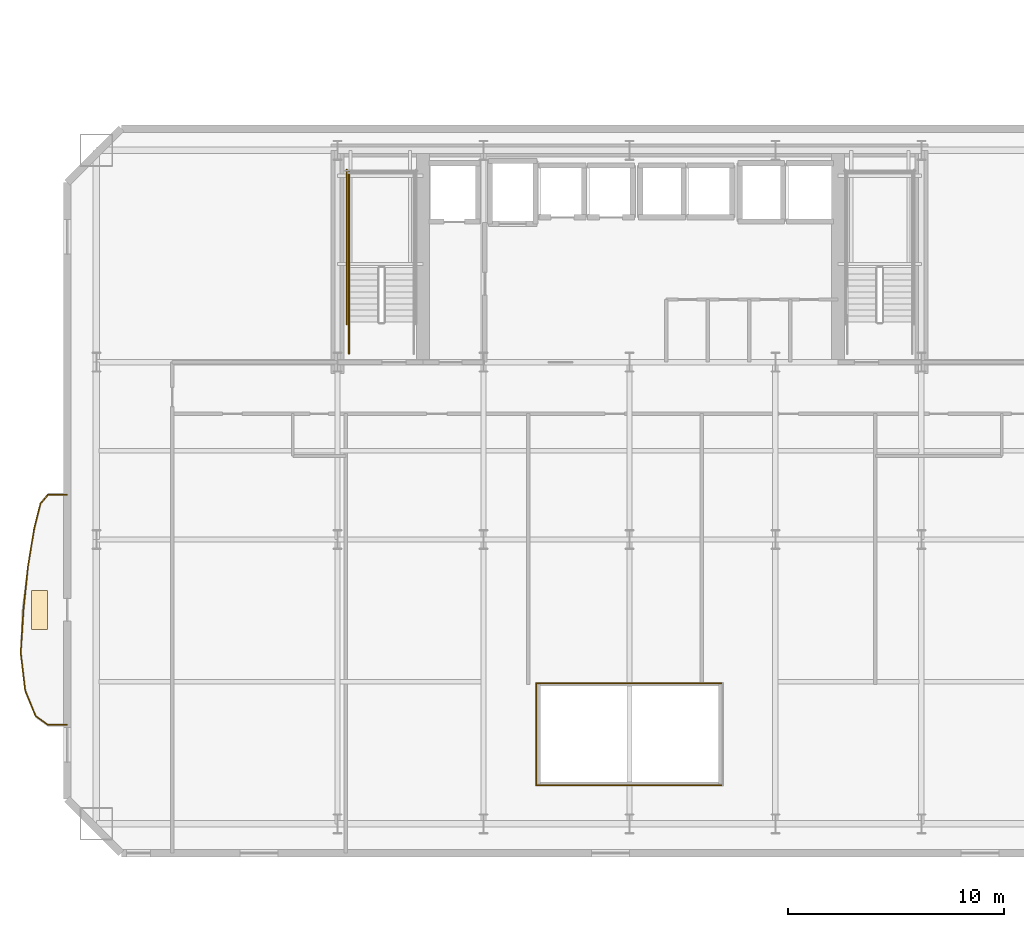
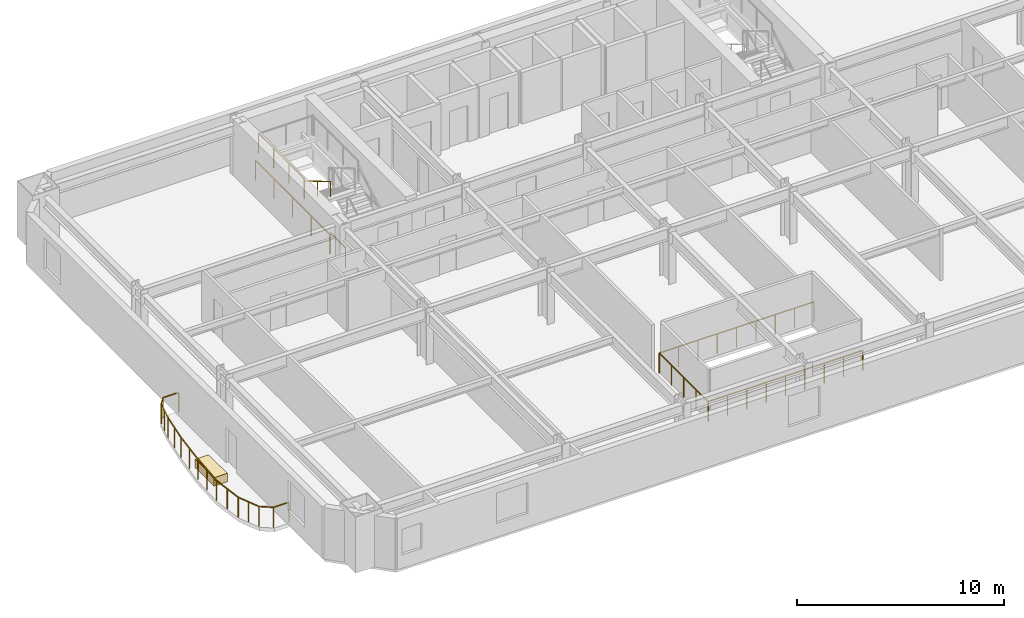
# One storey, part 11 of 15: 17 railings, 1 covering.
"""IFC4 building model written with IfcOpenShell, lengths in metres."""

from ifc_helpers import new_model, si_unit, direction, frame, origin, origin_2d, place, context, subcontext, project, spatial, rectangle, extrude, material, layer, layer_set, type_object, element, save


model = new_model("IFC4")

# Units and contexts
model_context = context("Model", 3, precision=1e-05, world=origin(), true_north=direction((0.0, 1.0)))
body_context = subcontext(model_context, "Body", "Model", "MODEL_VIEW")
ifc_project = project(units=[si_unit("LENGTHUNIT", "METRE"), si_unit("AREAUNIT", "SQUARE_METRE"), si_unit("VOLUMEUNIT", "CUBIC_METRE"), si_unit("PLANEANGLEUNIT", "RADIAN"), si_unit("MASSUNIT", "GRAM", prefix="KILO")], contexts=[model_context])

# Site, building, storey
site_placement = place(None, origin())
site = spatial("IfcSite", under=ifc_project, at=site_placement, CompositionType="ELEMENT")
building_placement = place(site_placement, origin())
building = spatial("IfcBuilding", under=site, at=building_placement, Name="Haevon Station Towers", CompositionType="ELEMENT")
storey_placement = place(building_placement, frame((0.0, 0.0, 63.60009765625)))
storey = spatial("IfcBuildingStorey", under=building, at=storey_placement, Name="L16", CompositionType="ELEMENT", Elevation=63.60009765625)

# Railings
ifc_material_1 = material(Name="Steel S355", Category="steel")
railing_type_1 = type_object("IfcRailingType", Name="BAL-ATR1200", PredefinedType="BALUSTRADE", material=ifc_material_1)
railing_1_placement = place(storey_placement, frame((33.19482421875, 18.642333984375, 0.0)))
element("IfcRailing", 1, at=railing_1_placement, inside=storey, type_object=railing_type_1, Name="L16 Atrium Void Balustrade 1", PredefinedType="BALUSTRADE", context=body_context, shape_type="SweptSolid", body=[
    extrude(rectangle(XDim=0.048095703125, YDim=0.048095703125, at=origin_2d()), frame((0.0, 0.0, 1.17578125), z_axis=(1.0, 0.0, 0.0), x_axis=(0.0, 1.0, 0.0)), (0.0, 0.0, 1.0), 8.6103515625),
    extrude(rectangle(XDim=0.0419921875, YDim=0.0419921875, at=origin_2d()), origin(), (0.0, 0.0, 1.0), 1.15185546875),
    extrude(rectangle(XDim=0.0419921875, YDim=0.0419921875, at=origin_2d()), frame((1.076171875, 0.0, 0.0)), (0.0, 0.0, 1.0), 1.15185546875),
    extrude(rectangle(XDim=0.0419921875, YDim=0.0419921875, at=origin_2d()), frame((2.152587890625, 0.0, 0.0)), (0.0, 0.0, 1.0), 1.15185546875),
    extrude(rectangle(XDim=0.0419921875, YDim=0.0419921875, at=origin_2d()), frame((3.22900390625, 0.0, 0.0)), (0.0, 0.0, 1.0), 1.15185546875),
    extrude(rectangle(XDim=0.0419921875, YDim=0.0419921875, at=origin_2d()), frame((4.30517578125, 0.0, 0.0)), (0.0, 0.0, 1.0), 1.15185546875),
    extrude(rectangle(XDim=0.0419921875, YDim=0.0419921875, at=origin_2d()), frame((5.38134765625, 0.0, 0.0)), (0.0, 0.0, 1.0), 1.15185546875),
    extrude(rectangle(XDim=0.0419921875, YDim=0.0419921875, at=origin_2d()), frame((6.457763671875, 0.0, 0.0)), (0.0, 0.0, 1.0), 1.15185546875),
    extrude(rectangle(XDim=0.0419921875, YDim=0.0419921875, at=origin_2d()), frame((7.5341796875, 0.0, 0.0)), (0.0, 0.0, 1.0), 1.15185546875),
    extrude(rectangle(XDim=0.0419921875, YDim=0.0419921875, at=origin_2d()), frame((8.6103515625, 0.0, 0.0)), (0.0, 0.0, 1.0), 1.15185546875),
])
railing_2_placement = place(storey_placement, frame((41.80517578125, 23.357666015625, 0.0)))
element("IfcRailing", 2, at=railing_2_placement, inside=storey, type_object=railing_type_1, Name="L16 Atrium Void Balustrade 3", PredefinedType="BALUSTRADE", context=body_context, shape_type="SweptSolid", body=[
    extrude(rectangle(XDim=0.048095703125, YDim=0.048095703125, at=origin_2d()), frame((0.0, 0.0, 1.17578125), z_axis=(-1.0, 0.0, 0.0), x_axis=(0.0, -1.0, 0.0)), (0.0, 0.0, 1.0), 8.6103515625),
    extrude(rectangle(XDim=0.0419921875, YDim=0.0419921875, at=origin_2d()), origin(), (0.0, 0.0, 1.0), 1.15185546875),
    extrude(rectangle(XDim=0.0419921875, YDim=0.0419921875, at=origin_2d()), frame((-1.076171875, 0.0, 0.0)), (0.0, 0.0, 1.0), 1.15185546875),
    extrude(rectangle(XDim=0.0419921875, YDim=0.0419921875, at=origin_2d()), frame((-2.152587890625, 0.0, 0.0)), (0.0, 0.0, 1.0), 1.15185546875),
    extrude(rectangle(XDim=0.0419921875, YDim=0.0419921875, at=origin_2d()), frame((-3.22900390625, 0.0, 0.0)), (0.0, 0.0, 1.0), 1.15185546875),
    extrude(rectangle(XDim=0.0419921875, YDim=0.0419921875, at=origin_2d()), frame((-4.30517578125, 0.0, 0.0)), (0.0, 0.0, 1.0), 1.15185546875),
    extrude(rectangle(XDim=0.0419921875, YDim=0.0419921875, at=origin_2d()), frame((-5.38134765625, 0.0, 0.0)), (0.0, 0.0, 1.0), 1.15185546875),
    extrude(rectangle(XDim=0.0419921875, YDim=0.0419921875, at=origin_2d()), frame((-6.457763671875, 0.0, 0.0)), (0.0, 0.0, 1.0), 1.15185546875),
    extrude(rectangle(XDim=0.0419921875, YDim=0.0419921875, at=origin_2d()), frame((-7.5341796875, 0.0, 0.0)), (0.0, 0.0, 1.0), 1.15185546875),
    extrude(rectangle(XDim=0.0419921875, YDim=0.0419921875, at=origin_2d()), frame((-8.6103515625, 0.0, 0.0)), (0.0, 0.0, 1.0), 1.15185546875),
])
railing_3_placement = place(storey_placement, frame((33.19482421875, 23.357666015625, 0.0)))
element("IfcRailing", 3, at=railing_3_placement, inside=storey, type_object=railing_type_1, Name="L16 Atrium Void Balustrade 4", PredefinedType="BALUSTRADE", context=body_context, shape_type="SweptSolid", body=[
    extrude(rectangle(XDim=0.048095703125, YDim=0.048095703125, at=origin_2d()), frame((0.0, 0.0, 1.17578125), z_axis=(0.0, -1.0, 0.0), x_axis=(1.0, 0.0, 0.0)), (0.0, 0.0, 1.0), 4.71533203125),
    extrude(rectangle(XDim=0.0419921875, YDim=0.0419921875, at=origin_2d()), origin(), (0.0, 0.0, 1.0), 1.15185546875),
    extrude(rectangle(XDim=0.0419921875, YDim=0.0419921875, at=origin_2d()), frame((0.0, -1.1787109375, 0.0)), (0.0, 0.0, 1.0), 1.15185546875),
    extrude(rectangle(XDim=0.0419921875, YDim=0.0419921875, at=origin_2d()), frame((0.0, -2.357666015625, 0.0)), (0.0, 0.0, 1.0), 1.15185546875),
    extrude(rectangle(XDim=0.0419921875, YDim=0.0419921875, at=origin_2d()), frame((0.0, -3.53662109375, 0.0)), (0.0, 0.0, 1.0), 1.15185546875),
    extrude(rectangle(XDim=0.0419921875, YDim=0.0419921875, at=origin_2d()), frame((0.0, -4.71533203125, 0.0)), (0.0, 0.0, 1.0), 1.15185546875),
])
railing_type_2 = type_object("IfcRailingType", Name="GRD-EXT1200", PredefinedType="GUARDRAIL", material=ifc_material_1)
railing_4_placement = place(storey_placement, frame((11.4765625, 32.072265625, 0.0)))
element("IfcRailing", 4, at=railing_4_placement, inside=storey, type_object=railing_type_2, Name="L16 Perimeter Guardrail 1", PredefinedType="GUARDRAIL", context=body_context, shape_type="SweptSolid", body=[
    extrude(rectangle(XDim=0.048095703125, YDim=0.048095703125, at=origin_2d()), frame((0.0, 0.0, 1.17578125), z_axis=(-0.999997476494, -0.002246554286, 0.0), x_axis=(0.002246554286, -0.999997476494, 0.0)), (0.0, 0.0, 1.0), 0.869384765625),
    extrude(rectangle(XDim=0.0419921875, YDim=0.0419921875, at=origin_2d()), origin(), (0.0, 0.0, 1.0), 1.15185546875),
    extrude(rectangle(XDim=0.0419921875, YDim=0.0419921875, at=origin_2d()), frame((-0.869384765625, -0.001953125, 0.0)), (0.0, 0.0, 1.0), 1.15185546875),
])
railing_5_placement = place(storey_placement, frame((10.607177734375, 32.0703125, 0.0)))
element("IfcRailing", 5, at=railing_5_placement, inside=storey, type_object=railing_type_2, Name="L16 Perimeter Guardrail 2", PredefinedType="GUARDRAIL", context=body_context, shape_type="SweptSolid", body=[
    extrude(rectangle(XDim=0.048095703125, YDim=0.048095703125, at=origin_2d()), frame((0.0, 0.0, 1.17578125), z_axis=(-0.643618076679, -0.765346830772, 0.0), x_axis=(0.765346830772, -0.643618076679, 0.0)), (0.0, 0.0, 1.0), 0.53759765625),
    extrude(rectangle(XDim=0.0419921875, YDim=0.0419921875, at=origin_2d()), origin(), (0.0, 0.0, 1.0), 1.15185546875),
    extrude(rectangle(XDim=0.0419921875, YDim=0.0419921875, at=origin_2d()), frame((-0.345947265625, -0.411376953125, 0.0)), (0.0, 0.0, 1.0), 1.15185546875),
])
railing_6_placement = place(storey_placement, frame((10.26123046875, 31.658935546875, 0.0)))
element("IfcRailing", 6, at=railing_6_placement, inside=storey, type_object=railing_type_2, Name="L16 Perimeter Guardrail 3", PredefinedType="GUARDRAIL", context=body_context, shape_type="SweptSolid", body=[
    extrude(rectangle(XDim=0.048095703125, YDim=0.048095703125, at=origin_2d()), frame((0.0, 0.0, 1.17578125), z_axis=(-0.243202070488, -0.969975645524, 0.0), x_axis=(0.969975645524, -0.243202070488, 0.0)), (0.0, 0.0, 1.0), 1.20654296875),
    extrude(rectangle(XDim=0.0419921875, YDim=0.0419921875, at=origin_2d()), origin(), (0.0, 0.0, 1.0), 1.15185546875),
    extrude(rectangle(XDim=0.0419921875, YDim=0.0419921875, at=origin_2d()), frame((-0.146728515625, -0.585205078125, 0.0)), (0.0, 0.0, 1.0), 1.15185546875),
    extrude(rectangle(XDim=0.0419921875, YDim=0.0419921875, at=origin_2d()), frame((-0.29345703125, -1.17041015625, 0.0)), (0.0, 0.0, 1.0), 1.15185546875),
])
railing_7_placement = place(storey_placement, frame((9.9677734375, 30.488525390625, 0.0)))
element("IfcRailing", 7, at=railing_7_placement, inside=storey, type_object=railing_type_2, Name="L16 Perimeter Guardrail 4", PredefinedType="GUARDRAIL", context=body_context, shape_type="SweptSolid", body=[
    extrude(rectangle(XDim=0.048095703125, YDim=0.048095703125, at=origin_2d()), frame((0.0, 0.0, 1.17578125), z_axis=(-0.162232317079, -0.986752590721, 0.0), x_axis=(0.986752590721, -0.162232317079, 0.0)), (0.0, 0.0, 1.0), 1.772705078125),
    extrude(rectangle(XDim=0.0419921875, YDim=0.0419921875, at=origin_2d()), origin(), (0.0, 0.0, 1.0), 1.15185546875),
    extrude(rectangle(XDim=0.0419921875, YDim=0.0419921875, at=origin_2d()), frame((-0.143798828125, -0.87451171875, 0.0)), (0.0, 0.0, 1.0), 1.15185546875),
    extrude(rectangle(XDim=0.0419921875, YDim=0.0419921875, at=origin_2d()), frame((-0.28759765625, -1.749267578125, 0.0)), (0.0, 0.0, 1.0), 1.15185546875),
])
railing_8_placement = place(storey_placement, frame((9.68017578125, 28.7392578125, 0.0)))
element("IfcRailing", 8, at=railing_8_placement, inside=storey, type_object=railing_type_2, Name="L16 Perimeter Guardrail 5", PredefinedType="GUARDRAIL", context=body_context, shape_type="SweptSolid", body=[
    extrude(rectangle(XDim=0.048095703125, YDim=0.048095703125, at=origin_2d()), frame((0.0, 0.0, 1.17578125), z_axis=(-0.102549270738, -0.994727926154, 0.0), x_axis=(0.994727926154, -0.102549270738, 0.0)), (0.0, 0.0, 1.0), 1.999755859375),
    extrude(rectangle(XDim=0.0419921875, YDim=0.0419921875, at=origin_2d()), origin(), (0.0, 0.0, 1.0), 1.15185546875),
    extrude(rectangle(XDim=0.0419921875, YDim=0.0419921875, at=origin_2d()), frame((-0.1025390625, -0.99462890625, 0.0)), (0.0, 0.0, 1.0), 1.15185546875),
    extrude(rectangle(XDim=0.0419921875, YDim=0.0419921875, at=origin_2d()), frame((-0.205078125, -1.9892578125, 0.0)), (0.0, 0.0, 1.0), 1.15185546875),
])
railing_9_placement = place(storey_placement, frame((9.47509765625, 26.75, 0.0)))
element("IfcRailing", 9, at=railing_9_placement, inside=storey, type_object=railing_type_2, Name="L16 Perimeter Guardrail 6", PredefinedType="GUARDRAIL", context=body_context, shape_type="SweptSolid", body=[
    extrude(rectangle(XDim=0.048095703125, YDim=0.048095703125, at=origin_2d()), frame((0.0, 0.0, 1.17578125), z_axis=(-0.06356545678, -0.997977671446, 0.0), x_axis=(0.997977671446, -0.06356545678, 0.0)), (0.0, 0.0, 1.0), 1.997314453125),
    extrude(rectangle(XDim=0.0419921875, YDim=0.0419921875, at=origin_2d()), origin(), (0.0, 0.0, 1.0), 1.15185546875),
    extrude(rectangle(XDim=0.0419921875, YDim=0.0419921875, at=origin_2d()), frame((-0.0634765625, -0.99658203125, 0.0)), (0.0, 0.0, 1.0), 1.15185546875),
    extrude(rectangle(XDim=0.0419921875, YDim=0.0419921875, at=origin_2d()), frame((-0.126953125, -1.9931640625, 0.0)), (0.0, 0.0, 1.0), 1.15185546875),
])
railing_10_placement = place(storey_placement, frame((9.34814453125, 24.7568359375, 0.0)))
element("IfcRailing", 10, at=railing_10_placement, inside=storey, type_object=railing_type_2, Name="L16 Perimeter Guardrail 7", PredefinedType="GUARDRAIL", context=body_context, shape_type="SweptSolid", body=[
    extrude(rectangle(XDim=0.048095703125, YDim=0.048095703125, at=origin_2d()), frame((0.0, 0.0, 1.17578125), z_axis=(0.117590336191, -0.993062189812, 0.0), x_axis=(0.993062189812, 0.117590336191, 0.0)), (0.0, 0.0, 1.0), 1.758544921875),
    extrude(rectangle(XDim=0.0419921875, YDim=0.0419921875, at=origin_2d()), origin(), (0.0, 0.0, 1.0), 1.15185546875),
    extrude(rectangle(XDim=0.0419921875, YDim=0.0419921875, at=origin_2d()), frame((0.103515625, -0.873046875, 0.0)), (0.0, 0.0, 1.0), 1.15185546875),
    extrude(rectangle(XDim=0.0419921875, YDim=0.0419921875, at=origin_2d()), frame((0.206787109375, -1.746337890625, 0.0)), (0.0, 0.0, 1.0), 1.15185546875),
])
railing_11_placement = place(storey_placement, frame((9.554931640625, 23.010498046875, 0.0)))
element("IfcRailing", 11, at=railing_11_placement, inside=storey, type_object=railing_type_2, Name="L16 Perimeter Guardrail 8", PredefinedType="GUARDRAIL", context=body_context, shape_type="SweptSolid", body=[
    extrude(rectangle(XDim=0.048095703125, YDim=0.048095703125, at=origin_2d()), frame((0.0, 0.0, 1.17578125), z_axis=(0.379535160999, -0.925177313581, 0.0), x_axis=(0.925177313581, 0.379535160999, 0.0)), (0.0, 0.0, 1.0), 1.263916015625),
    extrude(rectangle(XDim=0.0419921875, YDim=0.0419921875, at=origin_2d()), origin(), (0.0, 0.0, 1.0), 1.15185546875),
    extrude(rectangle(XDim=0.0419921875, YDim=0.0419921875, at=origin_2d()), frame((0.23974609375, -0.584716796875, 0.0)), (0.0, 0.0, 1.0), 1.15185546875),
    extrude(rectangle(XDim=0.0419921875, YDim=0.0419921875, at=origin_2d()), frame((0.479736328125, -1.16943359375, 0.0)), (0.0, 0.0, 1.0), 1.15185546875),
])
railing_12_placement = place(storey_placement, frame((10.03466796875, 21.841064453125, 0.0)))
element("IfcRailing", 12, at=railing_12_placement, inside=storey, type_object=railing_type_2, Name="L16 Perimeter Guardrail 9", PredefinedType="GUARDRAIL", context=body_context, shape_type="SweptSolid", body=[
    extrude(rectangle(XDim=0.048095703125, YDim=0.048095703125, at=origin_2d()), frame((0.0, 0.0, 1.17578125), z_axis=(0.812092296848, -0.583529006477, 0.0), x_axis=(0.583529006477, 0.812092296848, 0.0)), (0.0, 0.0, 1.0), 0.705078125),
    extrude(rectangle(XDim=0.0419921875, YDim=0.0419921875, at=origin_2d()), origin(), (0.0, 0.0, 1.0), 1.15185546875),
    extrude(rectangle(XDim=0.0419921875, YDim=0.0419921875, at=origin_2d()), frame((0.572509765625, -0.411376953125, 0.0)), (0.0, 0.0, 1.0), 1.15185546875),
])
railing_13_placement = place(storey_placement, frame((10.607177734375, 21.4296875, 0.0)))
element("IfcRailing", 13, at=railing_13_placement, inside=storey, type_object=railing_type_2, Name="L16 Perimeter Guardrail 10", PredefinedType="GUARDRAIL", context=body_context, shape_type="SweptSolid", body=[
    extrude(rectangle(XDim=0.048095703125, YDim=0.048095703125, at=origin_2d()), frame((0.0, 0.0, 1.17578125), z_axis=(0.999997476494, -0.002246554286, 0.0), x_axis=(0.002246554286, 0.999997476494, 0.0)), (0.0, 0.0, 1.0), 0.869384765625),
    extrude(rectangle(XDim=0.0419921875, YDim=0.0419921875, at=origin_2d()), origin(), (0.0, 0.0, 1.0), 1.15185546875),
    extrude(rectangle(XDim=0.0419921875, YDim=0.0419921875, at=origin_2d()), frame((0.869384765625, -0.001953125, 0.0)), (0.0, 0.0, 1.0), 1.15185546875),
])
railing_type_3 = type_object("IfcRailingType", Name="GRD-STR1200", PredefinedType="GUARDRAIL", material=ifc_material_1)
railing_14_placement = place(storey_placement, frame((24.530029296875, 42.570068359375, 1.64990234375)))
element("IfcRailing", 14, at=railing_14_placement, inside=storey, type_object=railing_type_3, Name="L16 ST1 Stair Guard 4", PredefinedType="GUARDRAIL", context=body_context, shape_type="SweptSolid", body=[
    extrude(rectangle(XDim=0.048095703125, YDim=0.048095703125, at=origin_2d()), frame((0.0, 0.0, 1.17578125), z_axis=(0.0, 1.0, 0.0), x_axis=(-1.0, 0.0, 0.0)), (0.0, 0.0, 1.0), 4.429931640625),
    extrude(rectangle(XDim=0.0419921875, YDim=0.0419921875, at=origin_2d()), origin(), (0.0, 0.0, 1.0), 1.15185546875),
    extrude(rectangle(XDim=0.0419921875, YDim=0.0419921875, at=origin_2d()), frame((0.0, 1.4765625, 0.0)), (0.0, 0.0, 1.0), 1.15185546875),
    extrude(rectangle(XDim=0.0419921875, YDim=0.0419921875, at=origin_2d()), frame((0.0, 2.953369140625, 0.0)), (0.0, 0.0, 1.0), 1.15185546875),
    extrude(rectangle(XDim=0.0419921875, YDim=0.0419921875, at=origin_2d()), frame((0.0, 4.429931640625, 0.0)), (0.0, 0.0, 1.0), 1.15185546875),
])
railing_15_placement = place(storey_placement, frame((24.530029296875, 38.60009765625, 0.0)))
element("IfcRailing", 15, at=railing_15_placement, inside=storey, type_object=railing_type_3, Name="L16 ST1 Stair Guard 9", PredefinedType="GUARDRAIL", context=body_context, shape_type="SweptSolid", body=[
    extrude(rectangle(XDim=0.048095703125, YDim=0.048095703125, at=origin_2d()), frame((0.0, 0.0, 1.17578125), z_axis=(0.0, 1.0, 0.0), x_axis=(-1.0, 0.0, 0.0)), (0.0, 0.0, 1.0), 1.449951171875),
    extrude(rectangle(XDim=0.0419921875, YDim=0.0419921875, at=origin_2d()), origin(), (0.0, 0.0, 1.0), 1.15185546875),
    extrude(rectangle(XDim=0.0419921875, YDim=0.0419921875, at=origin_2d()), frame((0.0, 1.449951171875, 0.0)), (0.0, 0.0, 1.0), 1.15185546875),
])
railing_16_placement = place(storey_placement, frame((24.429931640625, 39.949951171875, 0.0)))
element("IfcRailing", 16, at=railing_16_placement, inside=storey, type_object=railing_type_3, Name="L16 ST1 Stair Guard 11", PredefinedType="GUARDRAIL", context=body_context, shape_type="SweptSolid", body=[
    extrude(rectangle(XDim=0.048095703125, YDim=0.048095703125, at=origin_2d()), frame((0.0, 0.0, 1.17578125), z_axis=(0.0, 1.0, 0.0), x_axis=(-1.0, 0.0, 0.0)), (0.0, 0.0, 1.0), 7.150146484375),
    extrude(rectangle(XDim=0.0419921875, YDim=0.0419921875, at=origin_2d()), origin(), (0.0, 0.0, 1.0), 1.15185546875),
    extrude(rectangle(XDim=0.0419921875, YDim=0.0419921875, at=origin_2d()), frame((0.0, 1.78759765625, 0.0)), (0.0, 0.0, 1.0), 1.15185546875),
    extrude(rectangle(XDim=0.0419921875, YDim=0.0419921875, at=origin_2d()), frame((0.0, 3.5751953125, 0.0)), (0.0, 0.0, 1.0), 1.15185546875),
    extrude(rectangle(XDim=0.0419921875, YDim=0.0419921875, at=origin_2d()), frame((0.0, 5.362548828125, 0.0)), (0.0, 0.0, 1.0), 1.15185546875),
    extrude(rectangle(XDim=0.0419921875, YDim=0.0419921875, at=origin_2d()), frame((0.0, 7.150146484375, 0.0)), (0.0, 0.0, 1.0), 1.15185546875),
])
railing_type_4 = type_object("IfcRailingType", Name="HND-STR900", PredefinedType="HANDRAIL", material=ifc_material_1)
railing_17_placement = place(storey_placement, frame((24.530029296875, 42.570068359375, 1.81494140625)))
element("IfcRailing", 17, at=railing_17_placement, inside=storey, type_object=railing_type_4, Name="L16 ST1 Stair Handrail 2", PredefinedType="HANDRAIL", context=body_context, shape_type="SweptSolid", body=[
    extrude(rectangle(XDim=0.048095703125, YDim=0.048095703125, at=origin_2d()), frame((0.0, 0.0, 0.8759765625), z_axis=(0.0, -0.861560626758, 0.507654692109), x_axis=(1.0, 0.0, 0.0)), (0.0, 0.0, 1.0), 2.925048828125),
    extrude(rectangle(XDim=0.0419921875, YDim=0.0419921875, at=origin_2d()), origin(), (0.0, 0.0, 1.0), 0.851806640625),
    extrude(rectangle(XDim=0.0419921875, YDim=0.0419921875, at=origin_2d()), frame((0.0, -1.260009765625, 0.742431640625)), (0.0, 0.0, 1.0), 0.851806640625),
    extrude(rectangle(XDim=0.0419921875, YDim=0.0419921875, at=origin_2d()), frame((0.0, -2.52001953125, 1.48486328125)), (0.0, 0.0, 1.0), 0.851806640625),
])

# Covering
ifc_material_2 = material(Name="Architectural planter GRC", Category="concrete")
ifc_layer = layer(ifc_material_2, 0.550048828125)
ifc_layer_set = layer_set([ifc_layer], Name="Architectural planter GRC")
covering_type = type_object("IfcCoveringType", Name="PLN-GRC550", PredefinedType="MOLDING", material=ifc_layer_set)
covering_placement = place(storey_placement, frame((10.216796875, 26.75, 0.0), z_axis=(0.0, 0.0, 1.0), x_axis=(1.0, 0.0, 0.0)))
element("IfcCovering", 18, at=covering_placement, inside=storey, type_object=covering_type, Name="Tower 1 L16 Scalloped Balcony PLANTER", PredefinedType="MOLDING", context=body_context, shape_type="SweptSolid", body=[
    extrude(rectangle(XDim=0.75, YDim=1.800048828125, at=origin_2d()), origin(), (0.0, 0.0, 1.0), 0.5),
])

save(model, "model.ifc")
